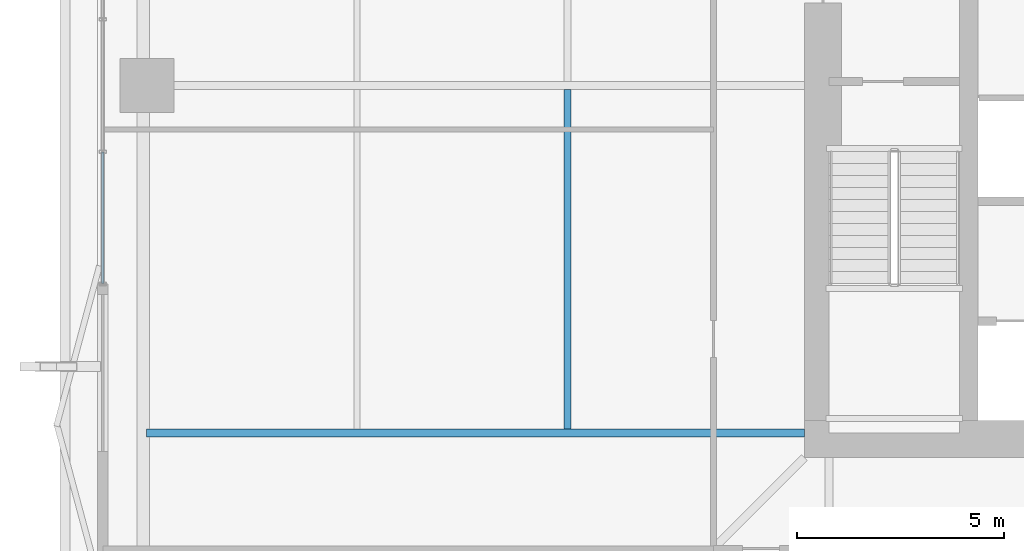
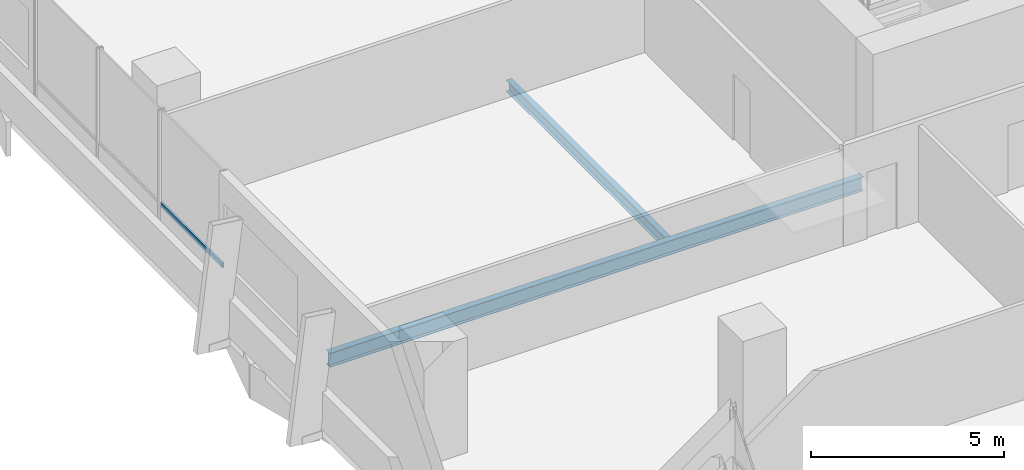
# One storey, part 8 of 34: 2 beams, 1 member, 1 element without a shape of its own.
"""IFC4 building model written with IfcOpenShell, lengths in metres."""

import ifcopenshell
import ifcopenshell.guid

model = None  # the IFC model being written
_history = None  # IfcOwnerHistory: only IFC2X3 demands one
_inside = {}  # id of a spatial element -> (the spatial element, [elements in it])
_under = {}  # id of a project, library or spatial element -> (it, [spatial elements below it])
_declared = {}  # id of a project -> (the project, [libraries it declares])
_typed = {}  # id of a type object -> (the type object, [elements of that type])
_made_of = {}  # id of a material, layer set ... -> (it, [elements and type objects made of it])


def new_model(schema):
    """Start an empty IFC model of exactly this schema.

    Asked for "IFC4X3", IfcOpenShell would pick the latest addendum, in which some entities
    have other attributes; the version numbers below select the first issue.
    IFC2X3 requires an IfcOwnerHistory on every rooted entity: one is made here for all.
    """
    global model, _history
    if schema == "IFC4X3":
        model = ifcopenshell.file(schema_version=(4, 3, 0, 0))
    else:
        model = ifcopenshell.file(schema=schema)
    _inside.clear()
    _under.clear()
    _declared.clear()
    _typed.clear()
    _made_of.clear()
    _history = None
    if model.schema == "IFC2X3":
        org = make("IfcOrganization", Name="unknown")
        user = make(
            "IfcPersonAndOrganization",
            ThePerson=make("IfcPerson", FamilyName="unknown"),
            TheOrganization=org,
        )
        app = make(
            "IfcApplication",
            ApplicationDeveloper=org,
            Version="unknown",
            ApplicationFullName="unknown",
            ApplicationIdentifier="unknown",
        )
        _history = make(
            "IfcOwnerHistory",
            OwningUser=user,
            OwningApplication=app,
            ChangeAction="ADDED",
            CreationDate=0,
        )
    return model


def make(cls, **values):
    """One entity of the class cls with the attributes given. An attribute that is None is left unset."""
    return model.create_entity(
        cls, **{name: value for name, value in values.items() if value is not None}
    )


def rooted(cls, **values):
    """An entity with a GlobalId (a new one), such as an element, a storey or a relation."""
    return make(cls, GlobalId=ifcopenshell.guid.new(), OwnerHistory=_history, **values)


def si_unit(unit_type, name, prefix=None):
    """IfcSIUnit, for example si_unit("LENGTHUNIT", "METRE", prefix="MILLI")."""
    return make("IfcSIUnit", UnitType=unit_type, Prefix=prefix, Name=name)


def assignment(units):
    """IfcUnitAssignment: the units of a project."""
    return None if units is None else make("IfcUnitAssignment", Units=units)


def point(xyz):
    """IfcCartesianPoint."""
    return None if xyz is None else make("IfcCartesianPoint", Coordinates=xyz)


def direction(xyz):
    """IfcDirection."""
    return None if xyz is None else make("IfcDirection", DirectionRatios=xyz)


def frame(location, z_axis=None, x_axis=None):
    """IfcAxis2Placement3D, a coordinate frame: its origin and axes. An axis left out is left unset."""
    return make(
        "IfcAxis2Placement3D",
        Location=point(location),
        Axis=direction(z_axis),
        RefDirection=direction(x_axis),
    )


def frame_2d(location, x_axis=None):
    """IfcAxis2Placement2D, a coordinate frame in the plane: its origin and x axis."""
    return make(
        "IfcAxis2Placement2D", Location=point(location), RefDirection=direction(x_axis)
    )


def origin():
    """The frame at (0, 0, 0) with its axes left unset."""
    return frame((0.0, 0.0, 0.0))


def origin_2d():
    """The frame at (0, 0) in the plane with its x axis left unset."""
    return frame_2d((0.0, 0.0))


def place(relative_to, where):
    """IfcLocalPlacement: puts the frame where relative to a parent placement (None: the world)."""
    return make(
        "IfcLocalPlacement", PlacementRelTo=relative_to, RelativePlacement=where
    )


def context(
    kind, dimensions, precision=None, world=None, true_north=None, identifier=None
):
    """IfcGeometricRepresentationContext, for example the 3D "Model" context."""
    return make(
        "IfcGeometricRepresentationContext",
        ContextIdentifier=identifier,
        ContextType=kind,
        CoordinateSpaceDimension=dimensions,
        Precision=precision,
        WorldCoordinateSystem=world,
        TrueNorth=true_north,
    )


def subcontext(parent, identifier, kind, view, scale=None):
    """IfcGeometricRepresentationSubContext, for example "Body" below "Model"."""
    return make(
        "IfcGeometricRepresentationSubContext",
        ContextIdentifier=identifier,
        ContextType=kind,
        ParentContext=parent,
        TargetScale=scale,
        TargetView=view,
    )


def project(units=None, contexts=None):
    """IfcProject with its units and contexts."""
    return rooted(
        "IfcProject",
        Name="project",
        RepresentationContexts=contexts,
        UnitsInContext=assignment(units),
    )


def spatial(cls, under=None, at=None, **own):
    """A site, building, storey or space (cls), placed at a placement, below another one or the project."""
    s = rooted(cls, ObjectPlacement=at, **own)
    if under is not None:
        _under.setdefault(under.id(), (under, []))[1].append(s)
    return s


def profile(cls, at=None, kind="AREA", **sizes):
    """A parametric profile (cls). Its sizes go by their IFC names, for example OverallWidth=200.0."""
    return make(cls, ProfileType=kind, Position=at, **sizes)


def hollow_rectangle(**sizes):
    """IfcRectangleHollowProfileDef."""
    return profile("IfcRectangleHollowProfileDef", **sizes)


def i_section(**sizes):
    """IfcIShapeProfileDef."""
    return profile("IfcIShapeProfileDef", **sizes)


def extrude(swept, where, along, depth):
    """IfcExtrudedAreaSolid: the profile swept, set in the frame where, extruded along a direction by depth."""
    return make(
        "IfcExtrudedAreaSolid",
        SweptArea=swept,
        Position=where,
        ExtrudedDirection=direction(along),
        Depth=depth,
    )


def shape(context_of_items, identifier, shape_type, items):
    """IfcShapeRepresentation: the items that make up one representation, for example the "Body"."""
    return make(
        "IfcShapeRepresentation",
        ContextOfItems=context_of_items,
        RepresentationIdentifier=identifier,
        RepresentationType=shape_type,
        Items=items,
    )


def material(Name=None, Category=None):
    """IfcMaterial."""
    return make("IfcMaterial", Name=Name, Category=Category)


def layer(
    of_material, thickness, ventilated=None, Name=None, Category=None, Priority=None
):
    """IfcMaterialLayer: one layer of a wall or slab, of a material (None: an air gap)."""
    return make(
        "IfcMaterialLayer",
        Material=of_material,
        LayerThickness=thickness,
        IsVentilated=ventilated,
        Name=Name,
        Category=Category,
        Priority=Priority,
    )


def layer_set(layers, Name=None):
    """IfcMaterialLayerSet."""
    return make("IfcMaterialLayerSet", MaterialLayers=layers, LayerSetName=Name)


def material_profile(
    of_material, cross_section, Name=None, Category=None, Priority=None
):
    """IfcMaterialProfile: a cross section and its material."""
    return make(
        "IfcMaterialProfile",
        Name=Name,
        Material=of_material,
        Profile=cross_section,
        Priority=Priority,
        Category=Category,
    )


def profile_set(profiles, Name=None, composite=None):
    """IfcMaterialProfileSet."""
    return make(
        "IfcMaterialProfileSet",
        Name=Name,
        MaterialProfiles=profiles,
        CompositeProfile=composite,
    )


def made_of(thing, what):
    """Note that an element or type object is made of a material, layer set ...; save() writes the relation."""
    if what is not None:
        _made_of.setdefault(what.id(), (what, []))[1].append(thing)
    return thing


def type_object(cls, material=None, **own):
    """A type object (cls), such as IfcWallType, which elements share."""
    return made_of(rooted(cls, **own), material)


def element(
    cls,
    number,
    at=None,
    inside=None,
    cuts=None,
    type_object=None,
    material=None,
    context=None,
    identifier="Body",
    shape_type=None,
    held_by="IfcProductDefinitionShape",
    body=None,
    shapes=None,
    **own,
):
    """One element of the class cls, such as IfcWall. Its Tag is "e" and its number.

    at: its placement. inside: the storey or other place that contains it. cuts: it is an
    opening in that element (IfcRelVoidsElement). A single representation is given by context,
    identifier, shape_type and body (its items); several are given by shapes. held_by: the class
    of the entity that holds the representations. save() writes the other relations.
    """
    e = rooted(cls, Tag="e%d" % number, ObjectPlacement=at, **own)
    if body is not None:
        shapes = [shape(context, identifier, shape_type, body)]
    if shapes is not None:
        e.Representation = make(held_by, Representations=shapes)
    if inside is not None:
        _inside.setdefault(inside.id(), (inside, []))[1].append(e)
    if cuts is not None:
        rooted(
            "IfcRelVoidsElement", RelatingBuildingElement=cuts, RelatedOpeningElement=e
        )
    if type_object is not None:
        _typed.setdefault(type_object.id(), (type_object, []))[1].append(e)
    return made_of(e, material)


def aggregate(whole, parts):
    """IfcRelAggregates: a whole, such as a stair, and the parts it consists of."""
    return rooted("IfcRelAggregates", RelatingObject=whole, RelatedObjects=parts)


def save(model, path):
    """Write the relations noted so far, then the file.

    IfcRelAggregates (storeys below a building ...), IfcRelContainedInSpatialStructure (elements
    in a storey), IfcRelDefinesByType, IfcRelAssociatesMaterial and IfcRelDeclares: one each for
    every whole, place, type object, material and project.
    """
    for whole, parts in _under.values():
        aggregate(whole, parts)
    for where, things in _inside.values():
        rooted(
            "IfcRelContainedInSpatialStructure",
            RelatedElements=things,
            RelatingStructure=where,
        )
    for kind, things in _typed.values():
        rooted("IfcRelDefinesByType", RelatedObjects=things, RelatingType=kind)
    for what, things in _made_of.values():
        rooted("IfcRelAssociatesMaterial", RelatedObjects=things, RelatingMaterial=what)
    for by, libraries in _declared.values():
        rooted("IfcRelDeclares", RelatingContext=by, RelatedDefinitions=libraries)
    model.write(path)


model = new_model("IFC4")

# Units and contexts
model_context = context("Model", 3, precision=1e-05, world=origin(), true_north=direction((0.0, 1.0)))
body_context = subcontext(model_context, "Body", "Model", "MODEL_VIEW")
ifc_project = project(units=[si_unit("LENGTHUNIT", "METRE"), si_unit("AREAUNIT", "SQUARE_METRE"), si_unit("VOLUMEUNIT", "CUBIC_METRE"), si_unit("PLANEANGLEUNIT", "RADIAN"), si_unit("MASSUNIT", "GRAM", prefix="KILO")], contexts=[model_context])

# Site, building, storey
site_placement = place(None, origin())
site = spatial("IfcSite", under=ifc_project, at=site_placement, CompositionType="ELEMENT")
building_placement = place(site_placement, origin())
building = spatial("IfcBuilding", under=site, at=building_placement, Name="Belovzor Exchange Tower", CompositionType="ELEMENT")
storey_placement = place(building_placement, frame((0.0, 0.0, 113.39990234375)))
storey = spatial("IfcBuildingStorey", under=building, at=storey_placement, Name="L27", CompositionType="ELEMENT", Elevation=113.39990234375)

# Beam
ifc_material_1 = material(Name="Steel S355", Category="steel")
ifc_material_profile_1 = material_profile(ifc_material_1, i_section(OverallWidth=0.169921875, OverallDepth=0.360107421875, WebThickness=0.008056640625, FlangeThickness=0.0126953125, at=origin_2d()))
ifc_profile_set_1 = profile_set([ifc_material_profile_1], Name="Steel S355")
beam_type_1 = type_object("IfcBeamType", Name="Secondary Infill Floor Joist IPE 360", PredefinedType="BEAM", material=ifc_profile_set_1)
beam_1_placement = place(storey_placement, frame((14.070068359375, 20.4951171875, -0.429931640625), z_axis=(0.0, 1.0, 0.0), x_axis=(-1.0, 0.0, 0.0)))
element("IfcBeam", 1, at=beam_1_placement, inside=storey, type_object=beam_type_1, Name="FJ-360 Secondary Infill Floor Joist IPE 360", PredefinedType="BEAM", context=body_context, shape_type="SweptSolid", body=[
    extrude(i_section(OverallWidth=0.169921875, OverallDepth=0.360107421875, WebThickness=0.008056640625, FlangeThickness=0.0126953125, at=origin_2d()), origin(), (0.0, 0.0, 1.0), 8.2099609375),
])

# Curtain wall, member
ifc_material_2 = material(Name="Anodised Aluminium Framing", Category="aluminium")
ifc_layer = layer(ifc_material_2, 0.179931640625)
ifc_layer_set = layer_set([ifc_layer], Name="Anodised Aluminium Framing")
curtain_wall_type = type_object("IfcCurtainWallType", Name="Recessed Loggia Low-Iron Triple-Glazed Curtain Wall", PredefinedType="NOTDEFINED", material=ifc_layer_set)
curtain_wall_placement = place(storey_placement, origin())
curtain_wall = element("IfcCurtainWall", 2, at=curtain_wall_placement, inside=storey, type_object=curtain_wall_type, Name="CW3 Recessed Loggia Low-Iron Triple-Glazed Curtain Wall L27", PredefinedType="NOTDEFINED")
ifc_material_3 = material(Name="Steel S355", Category="steel")
ifc_material_profile_2 = material_profile(ifc_material_3, hollow_rectangle(XDim=0.06005859375, YDim=0.14990234375, WallThickness=0.00390625, at=origin_2d()))
ifc_profile_set_2 = profile_set([ifc_material_profile_2], Name="Steel S355")
member_type = type_object("IfcMemberType", Name="Thermally Broken Curtain Wall Transom 150x60", PredefinedType="USERDEFINED", material=ifc_profile_set_2)
member_placement = place(storey_placement, frame((2.830078125, 24.008056640625, 0.650146484375), z_axis=(0.0, 1.0, 0.0), x_axis=(-1.0, 0.0, 0.0)))
member = element("IfcMember", 3, at=member_placement, type_object=member_type, Name="CW-T150 Curtain Wall Transom 1", ObjectType="TRANSOM", PredefinedType="USERDEFINED", context=body_context, shape_type="SweptSolid", body=[
    extrude(hollow_rectangle(XDim=0.06005859375, YDim=0.14990234375, WallThickness=0.00390625, at=origin_2d()), origin(), (0.0, 0.0, 1.0), 3.183837890625),
])
aggregate(curtain_wall, [member])

# Beam
ifc_material_4 = material(Name="Steel S355", Category="steel")
ifc_material_profile_3 = material_profile(ifc_material_4, i_section(OverallWidth=0.18994140625, OverallDepth=0.449951171875, WebThickness=0.009521484375, FlangeThickness=0.0146484375, at=origin_2d()))
ifc_profile_set_3 = profile_set([ifc_material_profile_3], Name="Steel S355")
beam_type_2 = type_object("IfcBeamType", Name="Zone 2-4 Radial Composite Floor Beam IPE 450", PredefinedType="BEAM", material=ifc_profile_set_3)
beam_2_placement = place(storey_placement, frame((19.800048828125, 20.39990234375, -0.474853515625), z_axis=(-1.0, 0.0, 0.0), x_axis=(0.0, -1.0, 0.0)))
element("IfcBeam", 4, at=beam_2_placement, inside=storey, type_object=beam_type_2, Name="FB-450 Zone 2-4 Radial Composite Floor Beam IPE 450", PredefinedType="BEAM", context=body_context, shape_type="SweptSolid", body=[
    extrude(i_section(OverallWidth=0.18994140625, OverallDepth=0.449951171875, WebThickness=0.009521484375, FlangeThickness=0.0146484375, at=origin_2d()), origin(), (0.0, 0.0, 1.0), 15.9169921875),
])

save(model, "model.ifc")
